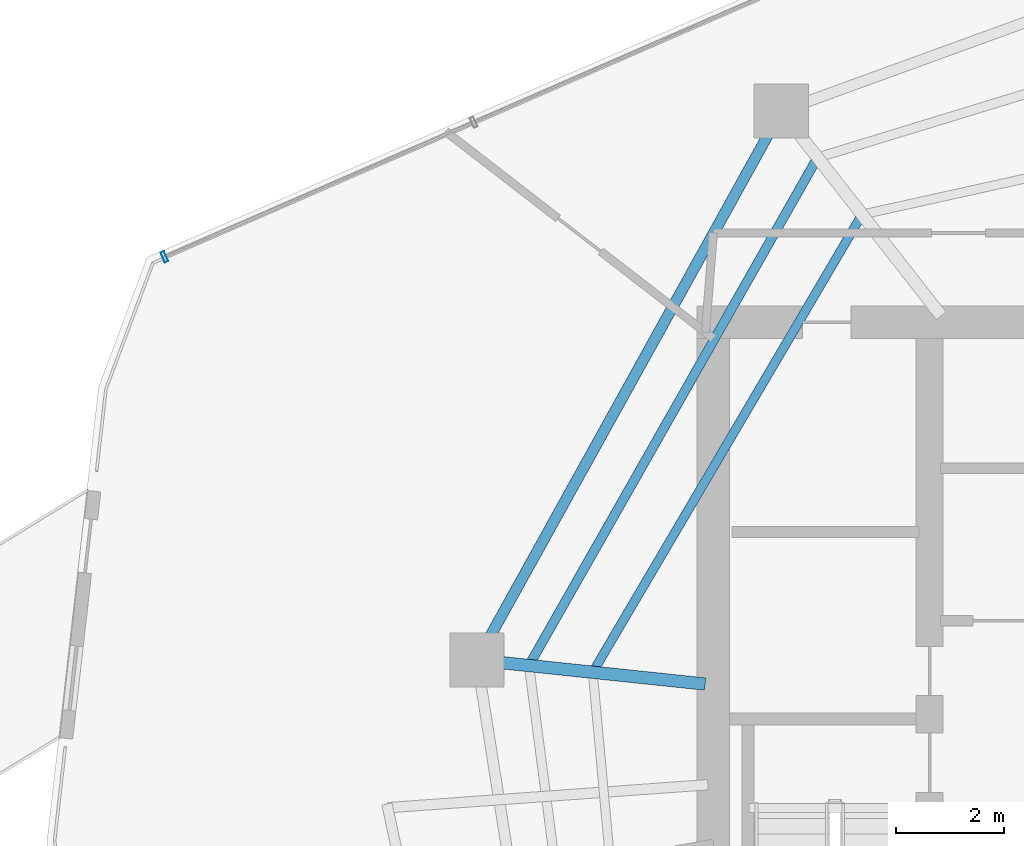
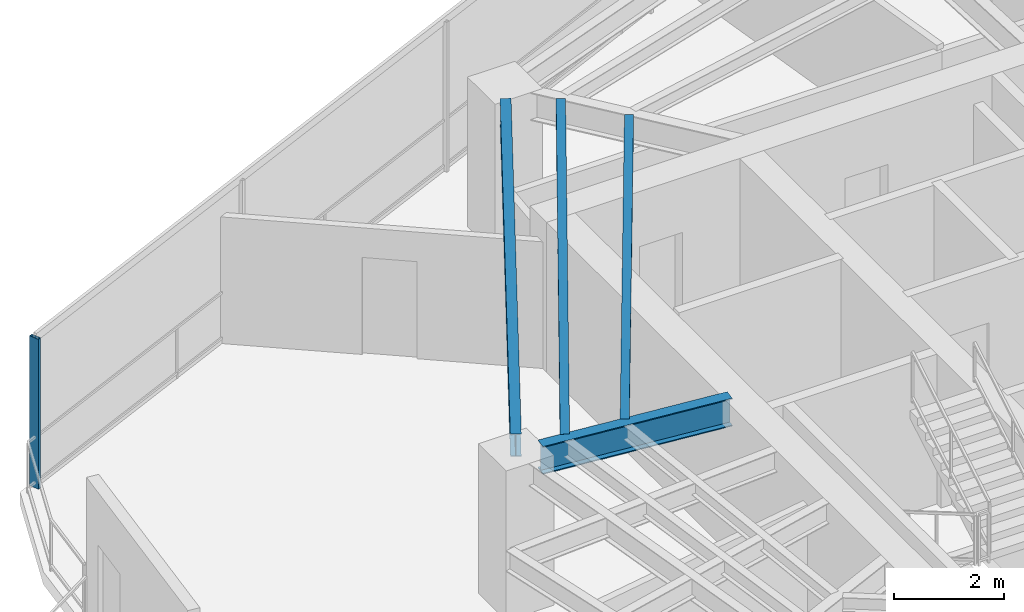
# One storey, part 7 of 22: 4 beams, 1 member, 1 element without a shape of its own.
"""IFC4 building model written with IfcOpenShell, lengths in metres."""

from ifc_helpers import new_model, si_unit, direction, frame, origin, origin_2d, place, context, subcontext, project, spatial, hollow_rectangle, i_section, extrude, material, layer, layer_set, material_profile, profile_set, type_object, element, aggregate, save


model = new_model("IFC4")

# Units and contexts
model_context = context("Model", 3, precision=1e-05, world=origin(), true_north=direction((0.0, 1.0)))
body_context = subcontext(model_context, "Body", "Model", "MODEL_VIEW")
ifc_project = project(units=[si_unit("LENGTHUNIT", "METRE"), si_unit("AREAUNIT", "SQUARE_METRE"), si_unit("VOLUMEUNIT", "CUBIC_METRE"), si_unit("PLANEANGLEUNIT", "RADIAN"), si_unit("MASSUNIT", "GRAM", prefix="KILO")], contexts=[model_context])

# Site, building, storey
site_placement = place(None, origin())
site = spatial("IfcSite", under=ifc_project, at=site_placement, CompositionType="ELEMENT")
building_placement = place(site_placement, origin())
building = spatial("IfcBuilding", under=site, at=building_placement, Name="Qarnah Convention Tower", CompositionType="ELEMENT")
storey_placement = place(building_placement, frame((0.0, 0.0, 154.5)))
storey = spatial("IfcBuildingStorey", under=building, at=storey_placement, Name="L41", CompositionType="ELEMENT", Elevation=154.5)

# Beams
ifc_material_1 = material(Name="Structural steel S355JR", Category="steel")
ifc_material_profile_1 = material_profile(ifc_material_1, i_section(OverallWidth=0.166015625, OverallDepth=0.31201171875, WebThickness=0.007080078125, FlangeThickness=0.010986328125, at=origin_2d()), Name="W310X45")
ifc_profile_set_1 = profile_set([ifc_material_profile_1], Name="Structural steel S355JR")
beam_type_1 = type_object("IfcBeamType", Name="BM-JST-W310", PredefinedType="JOIST", material=ifc_profile_set_1)
beam_1_placement = place(storey_placement, frame((29.5048828125, 36.112060546875, 3.1640625), z_axis=(-0.507052229611, -0.861915330207, 0.0), x_axis=(0.861915330207, -0.507052229611, 0.0)))
element("IfcBeam", 1, at=beam_1_placement, inside=storey, type_object=beam_type_1, Name="L41 joist BM-L41-IJST-04", PredefinedType="JOIST", context=body_context, shape_type="SweptSolid", body=[
    extrude(i_section(OverallWidth=0.166015625, OverallDepth=0.31201171875, WebThickness=0.007080078125, FlangeThickness=0.010986328125, at=origin_2d()), origin(), (0.0, 0.0, 1.0), 9.637939453125),
])
ifc_material_profile_2 = material_profile(ifc_material_1, i_section(OverallWidth=0.172119140625, OverallDepth=0.35595703125, WebThickness=0.007080078125, FlangeThickness=0.011962890625, at=origin_2d()), Name="W360X51")
ifc_profile_set_2 = profile_set([ifc_material_profile_2], Name="Structural steel S355JR")
beam_type_2 = type_object("IfcBeamType", Name="BM-JST-W360", PredefinedType="JOIST", material=ifc_profile_set_2)
beam_2_placement = place(storey_placement, frame((28.68408203125, 37.166015625, 3.14208984375), z_axis=(-0.49398927148, -0.869467998067, 0.0), x_axis=(0.869467998067, -0.49398927148, 0.0)))
element("IfcBeam", 2, at=beam_2_placement, inside=storey, type_object=beam_type_2, Name="L41 joist BM-L41-SJST-04", PredefinedType="JOIST", context=body_context, shape_type="SweptSolid", body=[
    extrude(i_section(OverallWidth=0.172119140625, OverallDepth=0.35595703125, WebThickness=0.007080078125, FlangeThickness=0.011962890625, at=origin_2d()), origin(), (0.0, 0.0, 1.0), 10.623779296875),
])
ifc_material_profile_3 = material_profile(ifc_material_1, i_section(OverallWidth=0.22998046875, OverallDepth=0.617919921875, WebThickness=0.012939453125, FlangeThickness=0.02197265625, at=origin_2d()), Name="W610X140")
ifc_profile_set_3 = profile_set([ifc_material_profile_3], Name="Structural steel S355JR")
beam_type_3 = type_object("IfcBeamType", Name="BM-RAD-W610A", PredefinedType="BEAM", material=ifc_profile_set_3)
beam_3_placement = place(storey_placement, frame((26.65087890625, 27.509033203125, 3.010986328125), z_axis=(-0.994531015982, 0.104441649973, 0.0), x_axis=(-0.104441649973, -0.994531015982, 0.0)))
element("IfcBeam", 3, at=beam_3_placement, inside=storey, type_object=beam_type_3, Name="L41 beam BM-L41-RAD-05", PredefinedType="BEAM", context=body_context, shape_type="SweptSolid", body=[
    extrude(i_section(OverallWidth=0.22998046875, OverallDepth=0.617919921875, WebThickness=0.012939453125, FlangeThickness=0.02197265625, at=origin_2d()), origin(), (0.0, 0.0, 1.0), 3.763427734375),
])
ifc_material_profile_4 = material_profile(ifc_material_1, i_section(OverallWidth=0.199951171875, OverallDepth=0.5, WebThickness=0.010009765625, FlangeThickness=0.01611328125, at=origin_2d()), Name="IPE500")
ifc_profile_set_4 = profile_set([ifc_material_profile_4], Name="Structural steel S355JR")
beam_type_4 = type_object("IfcBeamType", Name="BM-SPN-IPE500", PredefinedType="SPANDREL", material=ifc_profile_set_4)
beam_4_placement = place(storey_placement, frame((27.819091796875, 37.673095703125, 3.070068359375), z_axis=(-0.48477441757, -0.874639219375, 0.0), x_axis=(0.874639219375, -0.48477441757, 0.0)))
element("IfcBeam", 4, at=beam_4_placement, inside=storey, type_object=beam_type_4, Name="L41 spandrel BM-L41-SPN-04", PredefinedType="SPANDREL", context=body_context, shape_type="SweptSolid", body=[
    extrude(i_section(OverallWidth=0.199951171875, OverallDepth=0.5, WebThickness=0.010009765625, FlangeThickness=0.01611328125, at=origin_2d()), origin(), (0.0, 0.0, 1.0), 10.623779296875),
])

# Curtain wall, member
ifc_material_2 = material(Name="Tempered Low-E dark glass", Category="glass")
ifc_layer = layer(ifc_material_2, 0.172119140625)
ifc_layer_set = layer_set([ifc_layer], Name="Tempered Low-E dark glass")
curtain_wall_type = type_object("IfcCurtainWallType", Name="CWS-03", PredefinedType="NOTDEFINED", material=ifc_layer_set)
curtain_wall_placement = place(storey_placement, origin())
curtain_wall = element("IfcCurtainWall", 5, at=curtain_wall_placement, inside=storey, type_object=curtain_wall_type, Name="L41 unitised curtain wall CW-L41-F1", PredefinedType="NOTDEFINED")
ifc_material_3 = material(Name="Black anodised aluminium", Category="aluminium")
ifc_material_profile_5 = material_profile(ifc_material_3, hollow_rectangle(XDim=0.070068359375, YDim=0.199951171875, WallThickness=0.0048828125, at=origin_2d()), Name="MUL-70X200")
ifc_profile_set_5 = profile_set([ifc_material_profile_5], Name="Black anodised aluminium")
member_type = type_object("IfcMemberType", Name="MUL-T3", PredefinedType="MULLION", material=ifc_profile_set_5)
member_placement = place(storey_placement, frame((16.653076171875, 35.407958984375, 0.0), z_axis=(0.0, 0.0, 1.0), x_axis=(0.916925676456, 0.399058020663, 0.0)))
member = element("IfcMember", 6, at=member_placement, type_object=member_type, Name="CW-L41-F1 mullion 1", PredefinedType="MULLION", context=body_context, shape_type="SweptSolid", body=[
    extrude(hollow_rectangle(XDim=0.070068359375, YDim=0.199951171875, WallThickness=0.0048828125, at=origin_2d()), origin(), (0.0, 0.0, 1.0), 3.320068359375),
])
aggregate(curtain_wall, [member])

save(model, "model.ifc")
